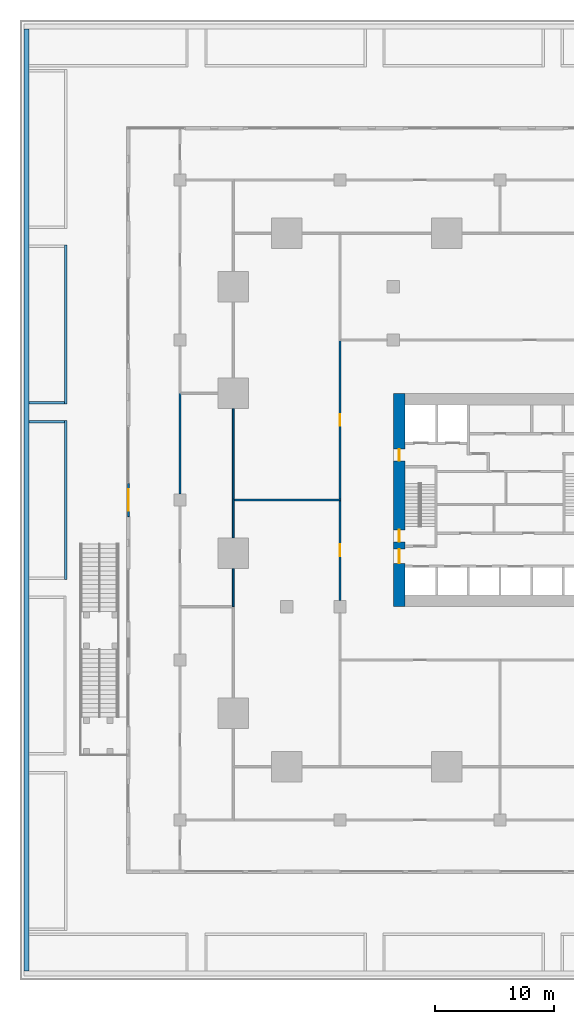
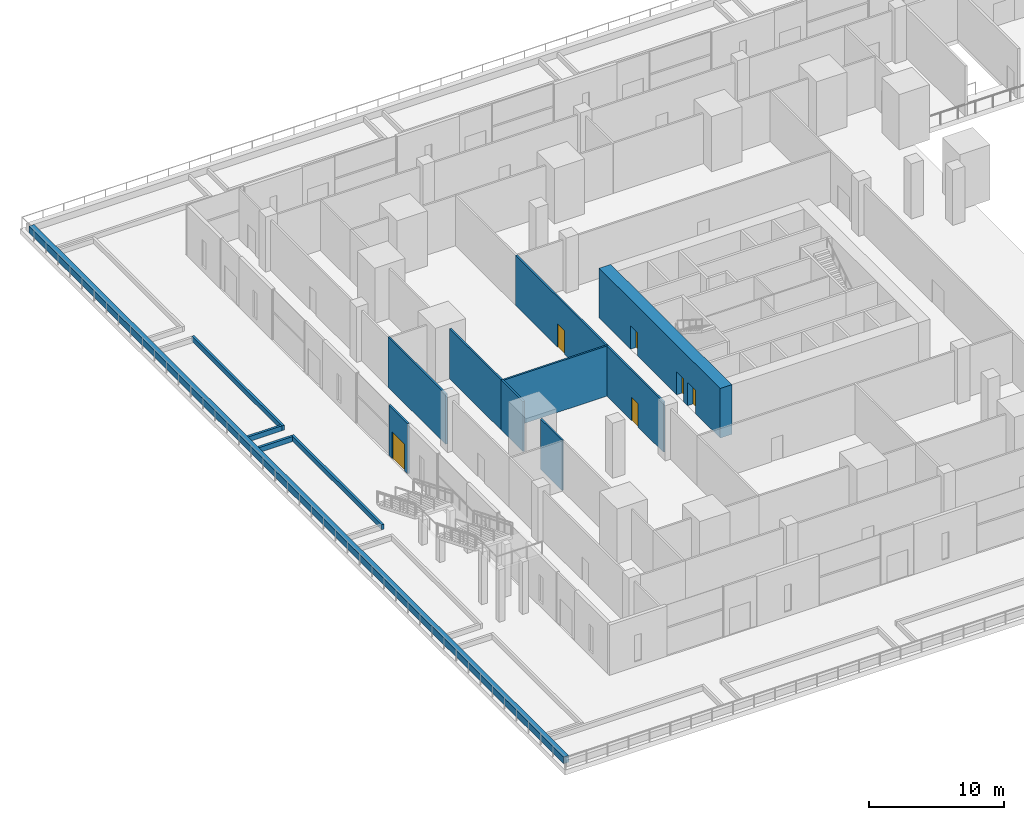
# One storey, part 31 of 49: 14 walls, 6 doors, 6 openings.
"""IFC4 building model written with IfcOpenShell, lengths in metres."""

from ifc_helpers import new_model, si_unit, direction, frame, frame_2d, origin, place, context, subcontext, project, spatial, rectangle, extrude, material, layer, layer_set, type_object, element, fill, save


model = new_model("IFC4")

# Units and contexts
model_context = context("Model", 3, precision=1e-05, world=origin(), true_north=direction((0.0, 1.0)))
body_context = subcontext(model_context, "Body", "Model", "MODEL_VIEW")
ifc_project = project(units=[si_unit("LENGTHUNIT", "METRE"), si_unit("AREAUNIT", "SQUARE_METRE"), si_unit("VOLUMEUNIT", "CUBIC_METRE"), si_unit("PLANEANGLEUNIT", "RADIAN"), si_unit("MASSUNIT", "GRAM", prefix="KILO")], contexts=[model_context])

# Site, building, storey
site_placement = place(None, origin())
site = spatial("IfcSite", under=ifc_project, at=site_placement, CompositionType="ELEMENT")
building_placement = place(site_placement, origin())
building = spatial("IfcBuilding", under=site, at=building_placement, Name="Altepetl Exchange Towers", CompositionType="ELEMENT")
storey_placement = place(building_placement, frame((0.0, 0.0, 11.5)))
storey = spatial("IfcBuildingStorey", under=building, at=storey_placement, Name="L02 Exchange podium", CompositionType="ELEMENT", Elevation=11.5)

# Wall, openings, doors
ifc_material_1 = material(Name="Concrete C70/85", Category="concrete")
ifc_layer_1 = layer(ifc_material_1, 1.0)
ifc_layer_set_1 = layer_set([ifc_layer_1], Name="Concrete C70/85")
wall_type_1 = type_object("IfcWallType", Name="Core wall 1000 reinforced concrete", PredefinedType="SHEAR", material=ifc_layer_set_1)
wall_1_placement = place(storey_placement, frame((41.0, 40.5, 0.0), z_axis=(0.0, 0.0, 1.0), x_axis=(0.0, 1.0, 0.0)))
wall_1 = element("IfcWall", 1, at=wall_1_placement, inside=storey, type_object=wall_type_1, Name="wall:A:L02:K-coreW", PredefinedType="SHEAR", context=body_context, shape_type="SweptSolid", body=[
    extrude(rectangle(XDim=18.0, YDim=1.0, at=frame_2d((9.0, 0.0))), origin(), (0.0, 0.0, 1.0), 4.5),
])
opening_1_placement = place(wall_1_placement, frame((3.64990234375, 0.0, 0.0)))
opening_1 = element("IfcOpeningElement", 2, at=opening_1_placement, cuts=wall_1, Name="Opening L02.A62", PredefinedType="OPENING", context=body_context, shape_type="SweptSolid", body=[
    extrude(rectangle(XDim=1.199951171875, YDim=2.10009765625, at=frame_2d((0.60009765625, 1.050048828125))), frame((0.0, 0.510009765625, 0.0), z_axis=(0.0, -1.0, 0.0), x_axis=(1.0, 0.0, 0.0)), (0.0, 0.0, 1.0), 1.02001953125),
])
opening_2_placement = place(wall_1_placement, frame((5.47509765625, 0.0, 0.0)))
opening_2 = element("IfcOpeningElement", 3, at=opening_2_placement, cuts=wall_1, Name="Opening L02.A64", PredefinedType="OPENING", context=body_context, shape_type="SweptSolid", body=[
    extrude(rectangle(XDim=1.0, YDim=2.10009765625, at=frame_2d((0.5, 1.050048828125))), frame((0.0, 0.510009765625, 0.0), z_axis=(0.0, -1.0, 0.0), x_axis=(1.0, 0.0, 0.0)), (0.0, 0.0, 1.0), 1.02001953125),
])
opening_3_placement = place(wall_1_placement, frame((12.300048828125, 0.0, 0.0)))
opening_3 = element("IfcOpeningElement", 4, at=opening_3_placement, cuts=wall_1, Name="Opening L02.A68", PredefinedType="OPENING", context=body_context, shape_type="SweptSolid", body=[
    extrude(rectangle(XDim=1.0, YDim=2.10009765625, at=frame_2d((0.5, 1.050048828125))), frame((0.0, 0.510009765625, 0.0), z_axis=(0.0, -1.0, 0.0), x_axis=(1.0, 0.0, 0.0)), (0.0, 0.0, 1.0), 1.02001953125),
])
ifc_material_2 = material(Name="Steel and timber fire door", Category="steel")
door_type_1 = type_object("IfcDoorType", Name="Fire door 1000 x 2100 stair and lobby", OperationType="SINGLE_SWING_LEFT", PredefinedType="DOOR", material=ifc_material_2)
door_1_placement = place(opening_2_placement, frame((1.0, 0.0, 0.0), x_axis=(-1.0, 0.0, 0.0)))
door_1 = element("IfcDoor", 5, at=door_1_placement, inside=storey, type_object=door_type_1, Name="door:A:L02:K-dS1x", OperationType="SINGLE_SWING_RIGHT", OverallHeight=2.10009765625, OverallWidth=1.0, PredefinedType="DOOR", context=body_context, shape_type="SweptSolid", body=[
    extrude(rectangle(XDim=1.0, YDim=2.10009765625, at=frame_2d((0.5, 1.050048828125))), frame((0.0, 0.02490234375, 0.0), z_axis=(0.0, -1.0, 0.0), x_axis=(1.0, 0.0, 0.0)), (0.0, 0.0, 1.0), 0.050048828125),
])
fill(opening_2, door_1)
door_2_placement = place(opening_3_placement, frame((1.0, 0.0, 0.0), x_axis=(-1.0, 0.0, 0.0)))
door_2 = element("IfcDoor", 6, at=door_2_placement, inside=storey, type_object=door_type_1, Name="door:A:L02:K-dffW", OperationType="SINGLE_SWING_LEFT", OverallHeight=2.10009765625, OverallWidth=1.0, PredefinedType="DOOR", context=body_context, shape_type="SweptSolid", body=[
    extrude(rectangle(XDim=1.0, YDim=2.10009765625, at=frame_2d((0.5, 1.050048828125))), frame((0.0, 0.02490234375, 0.0), z_axis=(0.0, -1.0, 0.0), x_axis=(1.0, 0.0, 0.0)), (0.0, 0.0, 1.0), 0.050048828125),
])
fill(opening_3, door_2)
door_type_2 = type_object("IfcDoorType", Name="Fire door 1200 x 2100 lobby entry", OperationType="SINGLE_SWING_LEFT", PredefinedType="DOOR", material=ifc_material_2)
door_3_placement = place(opening_1_placement, frame((1.199951171875, 0.0, 0.0), x_axis=(-1.0, 0.0, 0.0)))
door_3 = element("IfcDoor", 7, at=door_3_placement, inside=storey, type_object=door_type_2, Name="door:A:L02:K-dLSW", OperationType="SINGLE_SWING_LEFT", OverallHeight=2.10009765625, OverallWidth=1.199951171875, PredefinedType="DOOR", context=body_context, shape_type="SweptSolid", body=[
    extrude(rectangle(XDim=1.199951171875, YDim=2.10009765625, at=frame_2d((0.60009765625, 1.050048828125))), frame((0.0, 0.02490234375, 0.0), z_axis=(0.0, -1.0, 0.0), x_axis=(1.0, 0.0, 0.0)), (0.0, 0.0, 1.0), 0.050048828125),
])
fill(opening_1, door_3)

# Wall, opening, door
ifc_material_3 = material(Name="Aluminium composite cladding", Category="aluminium")
ifc_layer_2 = layer(ifc_material_3, 0.14990234375)
ifc_layer_set_2 = layer_set([ifc_layer_2], Name="Aluminium composite cladding")
wall_type_2 = type_object("IfcWallType", Name="Infill wall 150 aluminium panel", PredefinedType="SOLIDWALL", material=ifc_layer_set_2)
wall_2_placement = place(storey_placement, frame((18.14990234375, 50.89990234375, 0.0), z_axis=(0.0, 0.0, 1.0), x_axis=(0.0, -1.0, 0.0)))
wall_2 = element("IfcWall", 8, at=wall_2_placement, inside=storey, type_object=wall_type_2, Name="Door bay wall", PredefinedType="SOLIDWALL", context=body_context, shape_type="SweptSolid", body=[
    extrude(rectangle(XDim=2.7998046875, YDim=0.14990234375, at=frame_2d((1.39990234375, 0.0))), origin(), (0.0, 0.0, 1.0), 4.550048828125),
])
opening_4_placement = place(wall_2_placement, frame((0.5, 0.0, 0.0)))
opening_4 = element("IfcOpeningElement", 9, at=opening_4_placement, cuts=wall_2, Name="Opening L02.E03", PredefinedType="OPENING", context=body_context, shape_type="SweptSolid", body=[
    extrude(rectangle(XDim=1.800048828125, YDim=2.39990234375, at=frame_2d((0.89990234375, 1.199951171875))), frame((0.0, 0.0849609375, 0.0), z_axis=(0.0, -1.0, 0.0), x_axis=(1.0, 0.0, 0.0)), (0.0, 0.0, 1.0), 0.169921875),
])
ifc_material_4 = material(Name="Aluminium 6063-T6 and glass", Category="aluminium")
door_type_3 = type_object("IfcDoorType", Name="Glazed door pair 1800x2400", OperationType="DOUBLE_DOOR_DOUBLE_SWING", PredefinedType="NOTDEFINED", material=ifc_material_4)
door_4_placement = place(opening_4_placement, frame((1.800048828125, 0.0, 0.0), x_axis=(-1.0, 0.0, 0.0)))
door_4 = element("IfcDoor", 10, at=door_4_placement, inside=storey, type_object=door_type_3, Name="Terrace door", OperationType="DOUBLE_DOOR_DOUBLE_SWING", OverallHeight=2.39990234375, OverallWidth=1.800048828125, PredefinedType="NOTDEFINED", context=body_context, shape_type="SweptSolid", body=[
    extrude(rectangle(XDim=1.800048828125, YDim=2.39990234375, at=frame_2d((0.89990234375, 1.199951171875))), frame((0.0, 0.02490234375, 0.0), z_axis=(0.0, -1.0, 0.0), x_axis=(1.0, 0.0, 0.0)), (0.0, 0.0, 1.0), 0.050048828125),
])
fill(opening_4, door_4)

# Walls
ifc_material_5 = material(Name="Concrete C30/37", Category="concrete")
ifc_layer_3 = layer(ifc_material_5, 0.449951171875)
ifc_layer_set_3 = layer_set([ifc_layer_3], Name="Concrete C30/37")
wall_type_3 = type_object("IfcWallType", Name="Planter wall 450 concrete", PredefinedType="SOLIDWALL", material=ifc_layer_set_3)
wall_3_placement = place(storey_placement, frame((9.550048828125, 89.22509765625, 0.0), z_axis=(0.0, 0.0, 1.0), x_axis=(0.0, -1.0, 0.0)))
element("IfcWall", 11, at=wall_3_placement, inside=storey, type_object=wall_type_3, Name="Planter bed wall", PredefinedType="SOLIDWALL", context=body_context, shape_type="SweptSolid", body=[
    extrude(rectangle(XDim=79.4501953125, YDim=0.449951171875, at=frame_2d((39.72509765625, 0.0))), origin(), (0.0, 0.0, 1.0), 0.60009765625),
])
ifc_material_6 = material(Name="Reinforced concrete C35/45", Category="concrete")
ifc_layer_4 = layer(ifc_material_6, 0.199951171875)
ifc_layer_set_4 = layer_set([ifc_layer_4], Name="Reinforced concrete C35/45")
wall_type_4 = type_object("IfcWallType", Name="Planting bed curb 200", PredefinedType="SOLIDWALL", material=ifc_layer_set_4)
wall_4_placement = place(storey_placement, frame((12.875, 42.794921875, 0.0), z_axis=(0.0, 0.0, 1.0), x_axis=(0.0, 1.0, 0.0)))
element("IfcWall", 12, at=wall_4_placement, inside=storey, type_object=wall_type_4, Name="wall:P:L02:CB21e", PredefinedType="SOLIDWALL", context=body_context, shape_type="SweptSolid", body=[
    extrude(rectangle(XDim=13.41015625, YDim=0.199951171875, at=frame_2d((6.705078125, 0.0))), origin(), (0.0, 0.0, 1.0), 0.449951171875),
])
wall_5_placement = place(storey_placement, frame((9.77490234375, 56.10498046875, 0.0)))
element("IfcWall", 13, at=wall_5_placement, inside=storey, type_object=wall_type_4, Name="wall:P:L02:CB21n", PredefinedType="SOLIDWALL", context=body_context, shape_type="SweptSolid", body=[
    extrude(rectangle(XDim=3.0, YDim=0.199951171875, at=frame_2d((1.5, 0.0))), origin(), (0.0, 0.0, 1.0), 0.449951171875),
])
wall_6_placement = place(storey_placement, frame((12.875, 57.60498046875, 0.0), z_axis=(0.0, 0.0, 1.0), x_axis=(0.0, 1.0, 0.0)))
element("IfcWall", 14, at=wall_6_placement, inside=storey, type_object=wall_type_4, Name="wall:P:L02:CB22e", PredefinedType="SOLIDWALL", context=body_context, shape_type="SweptSolid", body=[
    extrude(rectangle(XDim=13.409912109375, YDim=0.199951171875, at=frame_2d((6.705078125, 0.0))), origin(), (0.0, 0.0, 1.0), 0.449951171875),
])
wall_7_placement = place(storey_placement, frame((9.77490234375, 57.705078125, 0.0)))
element("IfcWall", 15, at=wall_7_placement, inside=storey, type_object=wall_type_4, Name="wall:P:L02:CB22s", PredefinedType="SOLIDWALL", context=body_context, shape_type="SweptSolid", body=[
    extrude(rectangle(XDim=3.0, YDim=0.199951171875, at=frame_2d((1.5, 0.0))), origin(), (0.0, 0.0, 1.0), 0.449951171875),
])
ifc_material_7 = material(Name="Gypsum board on steel studs", Category="steel")
ifc_layer_5 = layer(ifc_material_7, 0.14990234375)
ifc_layer_set_5 = layer_set([ifc_layer_5], Name="Gypsum board on steel studs")
wall_type_5 = type_object("IfcWallType", Name="Podium partition 150", PredefinedType="PARTITIONING", material=ifc_layer_set_5)
wall_8_placement = place(storey_placement, frame((22.5, 49.9951171875, 0.0), z_axis=(0.0, 0.0, 1.0), x_axis=(0.0, 1.0, 0.0)))
element("IfcWall", 16, at=wall_8_placement, inside=storey, type_object=wall_type_5, Name="wall:P:L02:P006", PredefinedType="PARTITIONING", context=body_context, shape_type="SweptSolid", body=[
    extrude(rectangle(XDim=8.579833984375, YDim=0.14990234375, at=frame_2d((4.2900390625, 0.0))), origin(), (0.0, 0.0, 1.0), 4.550048828125),
])
wall_9_placement = place(storey_placement, frame((27.0, 40.5, 0.0), z_axis=(0.0, 0.0, 1.0), x_axis=(0.0, 1.0, 0.0)))
element("IfcWall", 17, at=wall_9_placement, inside=storey, type_object=wall_type_5, Name="wall:P:L02:P054", PredefinedType="PARTITIONING", context=body_context, shape_type="SweptSolid", body=[
    extrude(rectangle(XDim=3.205078125, YDim=0.14990234375, at=frame_2d((1.6025390625, 0.0))), origin(), (0.0, 0.0, 1.0), 4.550048828125),
])
wall_10_placement = place(storey_placement, frame((27.0, 46.294921875, 0.0), z_axis=(0.0, 0.0, 1.0), x_axis=(0.0, 1.0, 0.0)))
element("IfcWall", 18, at=wall_10_placement, inside=storey, type_object=wall_type_5, Name="wall:P:L02:P055", PredefinedType="PARTITIONING", context=body_context, shape_type="SweptSolid", body=[
    extrude(rectangle(XDim=3.280029296875, YDim=0.14990234375, at=frame_2d((1.64013671875, 0.0))), origin(), (0.0, 0.0, 1.0), 4.550048828125),
])
wall_11_placement = place(storey_placement, frame((27.0, 49.5, 0.0), z_axis=(0.0, 0.0, 1.0), x_axis=(0.0, 1.0, 0.0)))
element("IfcWall", 19, at=wall_11_placement, inside=storey, type_object=wall_type_5, Name="wall:P:L02:P056", PredefinedType="PARTITIONING", context=body_context, shape_type="SweptSolid", body=[
    extrude(rectangle(XDim=7.705078125, YDim=0.14990234375, at=frame_2d((3.8525390625, 0.0))), origin(), (0.0, 0.0, 1.0), 4.550048828125),
])
wall_12_placement = place(storey_placement, frame((27.074951171875, 49.5, 0.0)))
element("IfcWall", 20, at=wall_12_placement, inside=storey, type_object=wall_type_5, Name="wall:P:L02:P094", PredefinedType="PARTITIONING", context=body_context, shape_type="SweptSolid", body=[
    extrude(rectangle(XDim=9.0, YDim=0.14990234375, at=frame_2d((4.5, 0.0))), origin(), (0.0, 0.0, 1.0), 4.550048828125),
])

# Wall, opening, door
wall_13_placement = place(storey_placement, frame((36.0, 41.02001953125, 0.0), z_axis=(0.0, 0.0, 1.0), x_axis=(0.0, 1.0, 0.0)))
wall_13 = element("IfcWall", 21, at=wall_13_placement, inside=storey, type_object=wall_type_5, Name="wall:P:L02:P096", PredefinedType="PARTITIONING", context=body_context, shape_type="SweptSolid", body=[
    extrude(rectangle(XDim=8.405029296875, YDim=0.14990234375, at=frame_2d((4.20263671875, 0.0))), origin(), (0.0, 0.0, 1.0), 4.550048828125),
])
opening_5_placement = place(wall_13_placement, frame((3.75, 0.0, 0.0)))
opening_5 = element("IfcOpeningElement", 22, at=opening_5_placement, cuts=wall_13, Name="Opening L02.P011", PredefinedType="OPENING", context=body_context, shape_type="SweptSolid", body=[
    extrude(rectangle(XDim=1.0, YDim=2.10009765625, at=frame_2d((0.5, 1.050048828125))), frame((0.0, 0.0849609375, 0.0), z_axis=(0.0, -1.0, 0.0), x_axis=(1.0, 0.0, 0.0)), (0.0, 0.0, 1.0), 0.169921875),
])
door_type_4 = type_object("IfcDoorType", Name="Podium fire door 1000 x 2100 single leaf", OperationType="SINGLE_SWING_LEFT", PredefinedType="DOOR", material=ifc_material_2)
door_5_placement = place(opening_5_placement, origin())
door_5 = element("IfcDoor", 23, at=door_5_placement, inside=storey, type_object=door_type_4, Name="door:P:L02:011", OperationType="SINGLE_SWING_RIGHT", OverallHeight=2.10009765625, OverallWidth=1.0, PredefinedType="DOOR", context=body_context, shape_type="SweptSolid", body=[
    extrude(rectangle(XDim=1.0, YDim=2.10009765625, at=frame_2d((0.5, 1.050048828125))), frame((0.0, 0.02490234375, 0.0), z_axis=(0.0, -1.0, 0.0), x_axis=(1.0, 0.0, 0.0)), (0.0, 0.0, 1.0), 0.050048828125),
])
fill(opening_5, door_5)

wall_14_placement = place(storey_placement, frame((36.0, 49.5, 0.0), z_axis=(0.0, 0.0, 1.0), x_axis=(0.0, 1.0, 0.0)))
wall_14 = element("IfcWall", 24, at=wall_14_placement, inside=storey, type_object=wall_type_5, Name="wall:P:L02:P097", PredefinedType="PARTITIONING", context=body_context, shape_type="SweptSolid", body=[
    extrude(rectangle(XDim=13.5, YDim=0.14990234375, at=frame_2d((6.75, 0.0))), origin(), (0.0, 0.0, 1.0), 4.550048828125),
])
opening_6_placement = place(wall_14_placement, frame((6.25, 0.0, 0.0)))
opening_6 = element("IfcOpeningElement", 25, at=opening_6_placement, cuts=wall_14, Name="Opening L02.P012", PredefinedType="OPENING", context=body_context, shape_type="SweptSolid", body=[
    extrude(rectangle(XDim=1.0, YDim=2.10009765625, at=frame_2d((0.5, 1.050048828125))), frame((0.0, 0.0849609375, 0.0), z_axis=(0.0, -1.0, 0.0), x_axis=(1.0, 0.0, 0.0)), (0.0, 0.0, 1.0), 0.169921875),
])
door_6_placement = place(opening_6_placement, origin())
door_6 = element("IfcDoor", 26, at=door_6_placement, inside=storey, type_object=door_type_4, Name="door:P:L02:012", OperationType="SINGLE_SWING_RIGHT", OverallHeight=2.10009765625, OverallWidth=1.0, PredefinedType="DOOR", context=body_context, shape_type="SweptSolid", body=[
    extrude(rectangle(XDim=1.0, YDim=2.10009765625, at=frame_2d((0.5, 1.050048828125))), frame((0.0, 0.02490234375, 0.0), z_axis=(0.0, -1.0, 0.0), x_axis=(1.0, 0.0, 0.0)), (0.0, 0.0, 1.0), 0.050048828125),
])
fill(opening_6, door_6)

save(model, "model.ifc")
